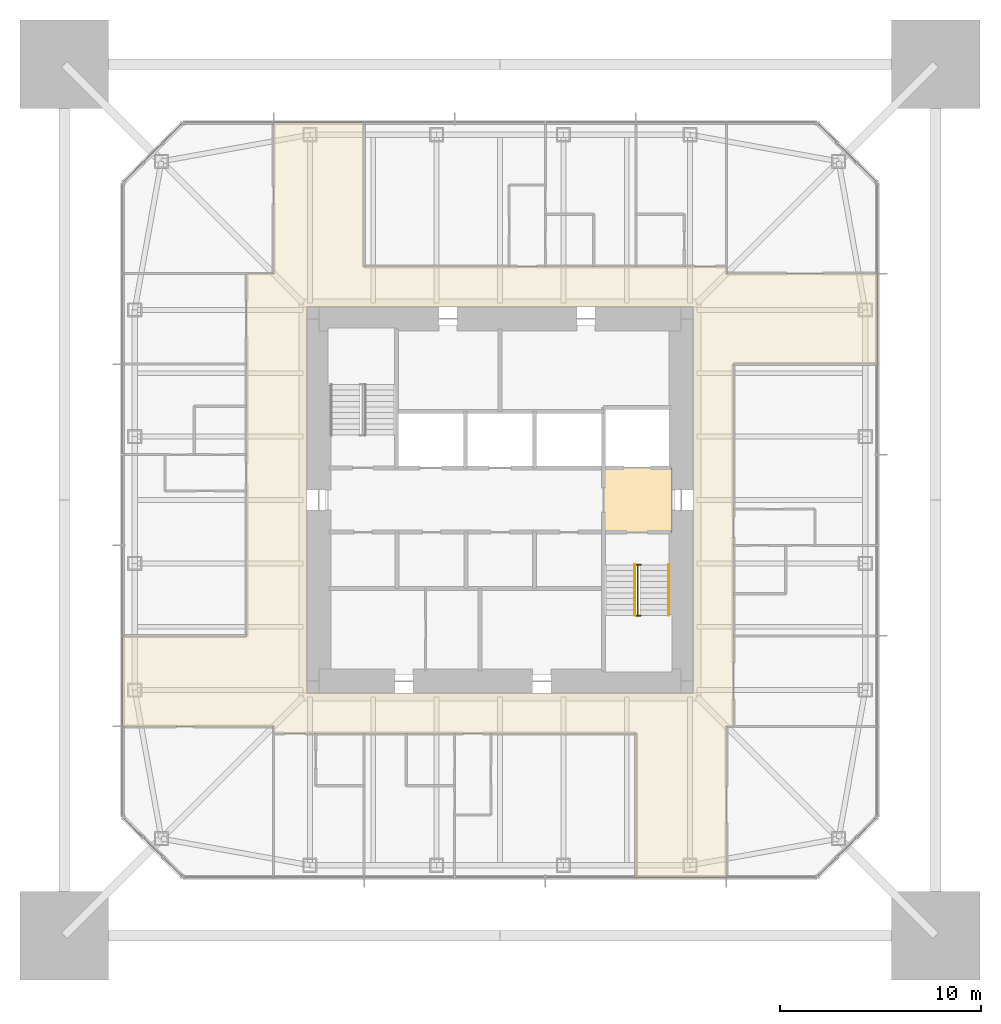
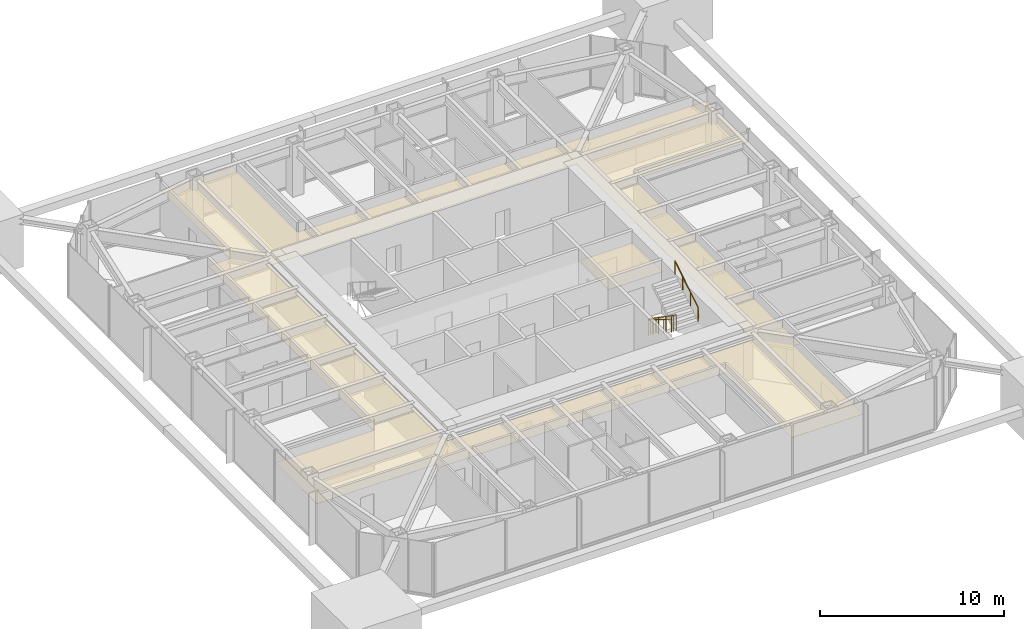
# One storey, part 12 of 13: 3 railings, 2 coverings.
"""IFC4 building model written with IfcOpenShell, lengths in metres."""

from ifc_helpers import new_model, si_unit, direction, frame, origin, origin_2d, place, context, subcontext, project, spatial, polyline, circle, outline, extrude, material, layer, layer_set, constituent, constituent_set, type_object, element, save


model = new_model("IFC4")

# Units and contexts
model_context = context("Model", 3, precision=1e-05, world=origin(), true_north=direction((0.0, 1.0)))
body_context = subcontext(model_context, "Body", "Model", "MODEL_VIEW")
ifc_project = project(units=[si_unit("LENGTHUNIT", "METRE"), si_unit("AREAUNIT", "SQUARE_METRE"), si_unit("VOLUMEUNIT", "CUBIC_METRE"), si_unit("PLANEANGLEUNIT", "RADIAN"), si_unit("MASSUNIT", "GRAM", prefix="KILO")], contexts=[model_context])

# Site, building, storey
site_placement = place(None, origin())
site = spatial("IfcSite", under=ifc_project, at=site_placement, CompositionType="ELEMENT")
building_placement = place(site_placement, origin())
building = spatial("IfcBuilding", under=site, at=building_placement, Name="Iwan Alto Co-Living Towers", CompositionType="ELEMENT")
storey_placement = place(building_placement, frame((0.0, 0.0, 191.5)))
storey = spatial("IfcBuildingStorey", under=building, at=storey_placement, Name="L52", CompositionType="ELEMENT", Elevation=191.5)

# Covering
ifc_material_1 = material(Name="Mineral fibre acoustic tiles on steel grid", Category="steel")
ifc_layer_1 = layer(ifc_material_1, 0.02001953125)
ifc_layer_set_1 = layer_set([ifc_layer_1], Name="ACOUSTIC TILE CEILING 20")
covering_type_1 = type_object("IfcCoveringType", Name="ACOUSTIC TILE CEILING 20", PredefinedType="CEILING", material=ifc_layer_set_1)
covering_1_placement = place(storey_placement, frame((0.0, 0.0, 2.60009765625)))
element("IfcCovering", 1, at=covering_1_placement, inside=storey, type_object=covering_type_1, Name="Ceiling Firefighting lobby L52", PredefinedType="CEILING", context=body_context, shape_type="SweptSolid", body=[
    extrude(outline(polyline([(5.14990234375, -1.60009765625), (5.14990234375, 1.60009765625), (8.550048828125, 1.60009765625), (8.550048828125, -1.60009765625), (5.14990234375, -1.60009765625)])), origin(), (0.0, 0.0, 1.0), 0.02001953125),
])

# Railings
ifc_material_2 = material(Name="Steel ASTM A500 Gr C", Category="steel")
ifc_constituent_1 = constituent(ifc_material_2, Name="Rails and posts", Category="Framing")
ifc_material_3 = material(Name="Steel ASTM A36", Category="steel")
ifc_constituent_2 = constituent(ifc_material_3, Name="Bar infill", Category="Infill")
ifc_constituent_set = constituent_set(constituents=[ifc_constituent_1, ifc_constituent_2], Name="STAIR GUARD 1100")
railing_type_1 = type_object("IfcRailingType", Name="STAIR GUARD 1100", PredefinedType="GUARDRAIL", material=ifc_constituent_set)
railing_1_placement = place(storey_placement, frame((6.85009765625, -3.219970703125, 0.0)))
element("IfcRailing", 2, at=railing_1_placement, inside=storey, type_object=railing_type_1, Name="Stair T1-S2 well guard L52", PredefinedType="GUARDRAIL", context=body_context, shape_type="SweptSolid", body=[
    extrude(circle(Radius=0.02392578125, at=origin_2d()), frame((0.0, 0.0, 1.076171875), z_axis=(0.0, -0.821372036852, 0.570392826987), x_axis=(1.0, 0.0, 0.0)), (0.0, 0.0, 1.0), 3.068115234375),
    extrude(circle(Radius=0.02392578125, at=origin_2d()), frame((-0.150146484375, 0.0, 1.076171875), z_axis=(1.0, 0.0, 0.0), x_axis=(0.0, 1.0, 0.0)), (0.0, 0.0, 1.0), 0.300048828125),
    extrude(circle(Radius=0.02392578125, at=origin_2d()), frame((-0.150146484375, -2.52001953125, 2.826171875), z_axis=(1.0, 0.0, 0.0), x_axis=(0.0, 1.0, 0.0)), (0.0, 0.0, 1.0), 0.300048828125),
    extrude(circle(Radius=0.02099609375, at=origin_2d()), origin(), (0.0, 0.0, 1.0), 1.052001953125),
    extrude(circle(Radius=0.02099609375, at=origin_2d()), frame((0.0, -0.840087890625, 0.583251953125)), (0.0, 0.0, 1.0), 1.052001953125),
    extrude(circle(Radius=0.02099609375, at=origin_2d()), frame((0.0, -1.679931640625, 1.166748046875)), (0.0, 0.0, 1.0), 1.052001953125),
    extrude(circle(Radius=0.02099609375, at=origin_2d()), frame((0.0, -2.52001953125, 1.75)), (0.0, 0.0, 1.0), 1.052001953125),
    extrude(circle(Radius=0.02099609375, at=origin_2d()), frame((-0.150146484375, 0.0, 0.0)), (0.0, 0.0, 1.0), 1.052001953125),
    extrude(circle(Radius=0.02099609375, at=origin_2d()), frame((0.14990234375, 0.0, 0.0)), (0.0, 0.0, 1.0), 1.052001953125),
    extrude(circle(Radius=0.02099609375, at=origin_2d()), frame((-0.150146484375, -2.52001953125, 1.75)), (0.0, 0.0, 1.0), 1.052001953125),
    extrude(circle(Radius=0.02099609375, at=origin_2d()), frame((0.14990234375, -2.52001953125, 1.75)), (0.0, 0.0, 1.0), 1.052001953125),
])
ifc_material_4 = material(Name="Steel ASTM A500 Gr C", Category="steel")
railing_type_2 = type_object("IfcRailingType", Name="STAIR HANDRAIL 900", PredefinedType="HANDRAIL", material=ifc_material_4)
railing_2_placement = place(storey_placement, frame((6.699951171875, -3.219970703125, 0.175048828125)))
element("IfcRailing", 3, at=railing_2_placement, inside=storey, type_object=railing_type_2, Name="Stair T1-S2 handrail 1 L52", PredefinedType="HANDRAIL", context=body_context, shape_type="SweptSolid", body=[
    extrude(circle(Radius=0.02392578125, at=origin_2d()), frame((0.0, 0.0, 0.8759765625), z_axis=(0.0, -0.848007534815, 0.529984170421), x_axis=(1.0, 0.0, 0.0)), (0.0, 0.0, 1.0), 2.9716796875),
    extrude(circle(Radius=0.02099609375, at=origin_2d()), origin(), (0.0, 0.0, 1.0), 0.851806640625),
    extrude(circle(Radius=0.02099609375, at=origin_2d()), frame((0.0, -0.840087890625, 0.52490234375)), (0.0, 0.0, 1.0), 0.851806640625),
    extrude(circle(Radius=0.02099609375, at=origin_2d()), frame((0.0, -1.679931640625, 1.050048828125)), (0.0, 0.0, 1.0), 0.851806640625),
    extrude(circle(Radius=0.02099609375, at=origin_2d()), frame((0.0, -2.52001953125, 1.574951171875)), (0.0, 0.0, 1.0), 0.851806640625),
])
railing_3_placement = place(storey_placement, frame((8.3798828125, -5.739990234375, 1.925048828125)))
element("IfcRailing", 4, at=railing_3_placement, inside=storey, type_object=railing_type_2, Name="Stair T1-S2 handrail 2 L52", PredefinedType="HANDRAIL", context=body_context, shape_type="SweptSolid", body=[
    extrude(circle(Radius=0.02392578125, at=origin_2d()), frame((0.0, 0.0, 0.8759765625), z_axis=(0.0, 0.848007534815, 0.529984170421), x_axis=(-1.0, 0.0, 0.0)), (0.0, 0.0, 1.0), 2.9716796875),
    extrude(circle(Radius=0.02099609375, at=origin_2d()), origin(), (0.0, 0.0, 1.0), 0.851806640625),
    extrude(circle(Radius=0.02099609375, at=origin_2d()), frame((0.0, 0.840087890625, 0.52490234375)), (0.0, 0.0, 1.0), 0.851806640625),
    extrude(circle(Radius=0.02099609375, at=origin_2d()), frame((0.0, 1.679931640625, 1.050048828125)), (0.0, 0.0, 1.0), 0.851806640625),
    extrude(circle(Radius=0.02099609375, at=origin_2d()), frame((0.0, 2.52001953125, 1.574951171875)), (0.0, 0.0, 1.0), 0.851806640625),
])

# Covering
ifc_material_5 = material(Name="Gypsum plasterboard on steel grid", Category="steel")
ifc_layer_2 = layer(ifc_material_5, 0.014892578125)
ifc_layer_set_2 = layer_set([ifc_layer_2], Name="SUSPENDED PLASTERBOARD CEILING 15")
covering_type_2 = type_object("IfcCoveringType", Name="SUSPENDED PLASTERBOARD CEILING 15", PredefinedType="CEILING", material=ifc_layer_set_2)
covering_2_placement = place(storey_placement, frame((0.0, 0.0, 2.60009765625)))
element("IfcCovering", 5, at=covering_2_placement, inside=storey, type_object=covering_type_2, Name="Ceiling Corridor L52", PredefinedType="CEILING", context=body_context, shape_type="SweptSolid", body=[
    extrude(outline(polyline([(-18.75, -6.75), (-12.60009765625, -6.75), (-12.60009765625, 11.25), (-11.25, 11.25), (-11.25, 11.60009765625), (-11.25, 18.75), (-6.75, 18.75), (-6.75, 11.60009765625), (11.25, 11.60009765625), (11.25, 11.25), (11.60009765625, 11.25), (18.75, 11.25), (18.75, 6.75), (11.60009765625, 6.75), (11.60009765625, -11.25), (11.25, -11.25), (11.25, -11.60009765625), (11.25, -18.75), (6.75, -18.75), (6.75, -11.60009765625), (-11.25, -11.60009765625), (-11.25, -11.25), (-12.60009765625, -11.25), (-18.75, -11.25), (-18.75, -6.75)]), holes=[polyline([(9.60009765625, 9.60009765625), (-9.60009765625, 9.60009765625), (-9.60009765625, -9.60009765625), (9.60009765625, -9.60009765625), (9.60009765625, 9.60009765625)])]), origin(), (0.0, 0.0, 1.0), 0.014892578125),
])

save(model, "model.ifc")
